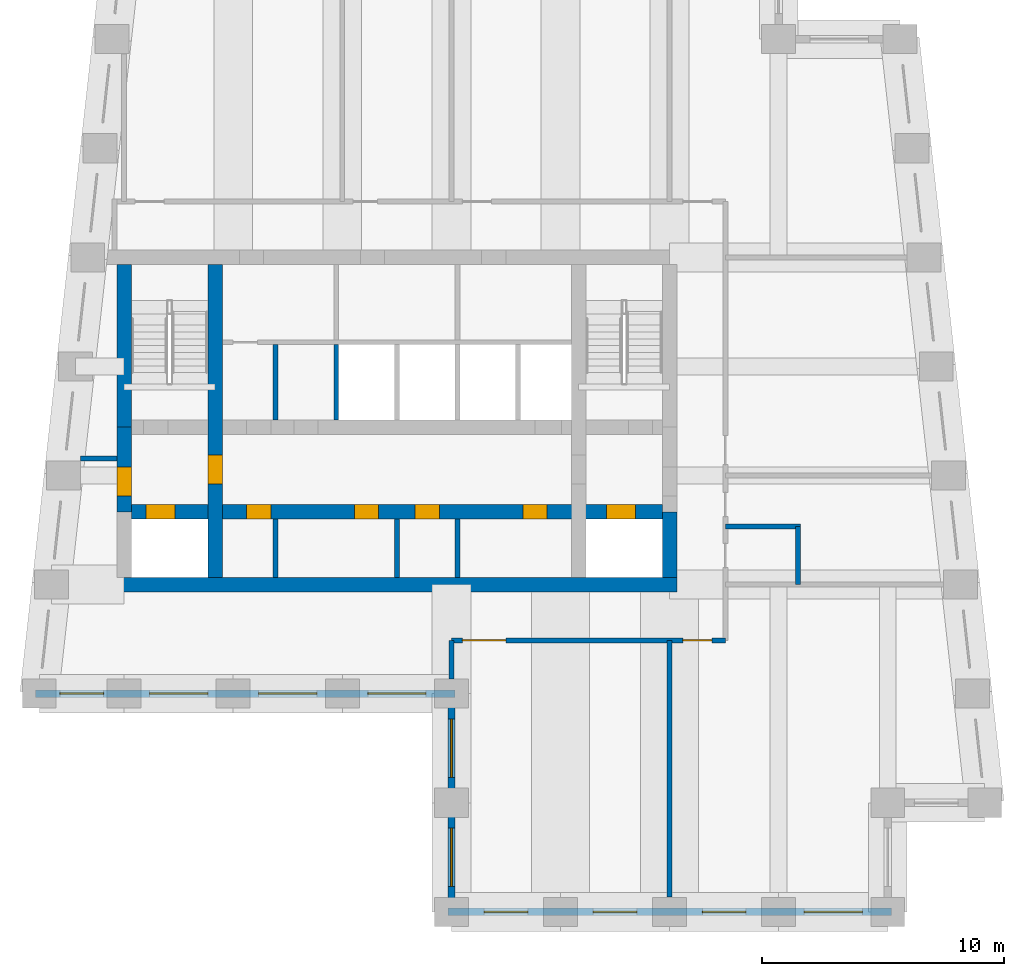
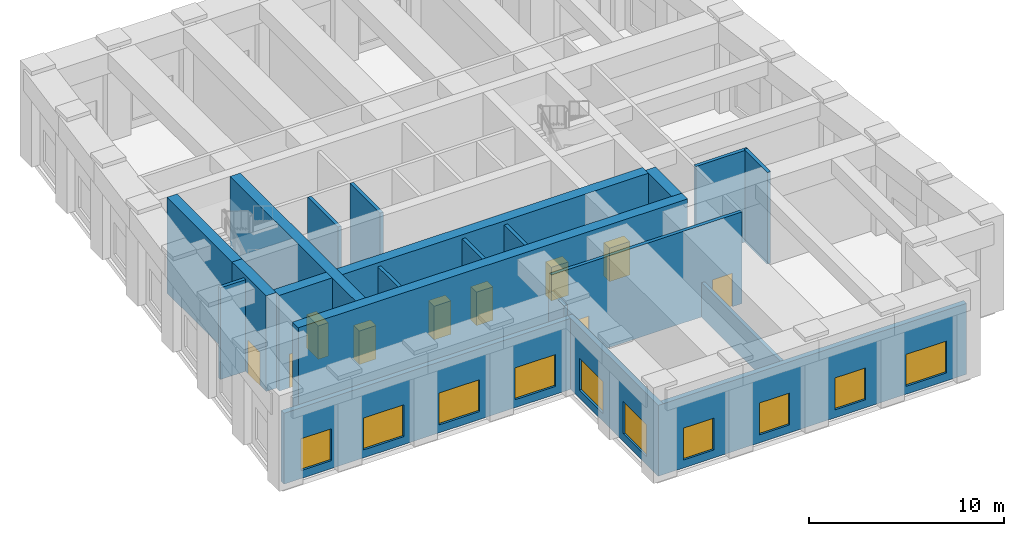
# One storey, part 2 of 7: 20 walls, 10 doors, 10 windows, 20 openings.
"""IFC4 building model written with IfcOpenShell, lengths in metres."""

from ifc_helpers import new_model, si_unit, direction, frame, frame_2d, origin, place, context, subcontext, project, spatial, rectangle, extrude, material, layer, layer_set, type_object, element, fill, save


model = new_model("IFC4")

# Units and contexts
model_context = context("Model", 3, precision=1e-05, world=origin(), true_north=direction((0.0, 1.0)))
body_context = subcontext(model_context, "Body", "Model", "MODEL_VIEW")
ifc_project = project(units=[si_unit("LENGTHUNIT", "METRE"), si_unit("AREAUNIT", "SQUARE_METRE"), si_unit("VOLUMEUNIT", "CUBIC_METRE"), si_unit("PLANEANGLEUNIT", "RADIAN"), si_unit("MASSUNIT", "GRAM", prefix="KILO")], contexts=[model_context])

# Site, building, storey
site_placement = place(None, origin())
site = spatial("IfcSite", under=ifc_project, at=site_placement, CompositionType="ELEMENT")
building_placement = place(site_placement, origin())
building = spatial("IfcBuilding", under=site, at=building_placement, Name="Kilele Tower Hotel", CompositionType="ELEMENT")
storey_placement = place(building_placement, frame((0.0, 0.0, 244.699951171875)))
storey = spatial("IfcBuildingStorey", under=building, at=storey_placement, Name="L63", CompositionType="ELEMENT", Elevation=244.699951171875)

# Wall
ifc_material_1 = material(Name="Concrete C60/75", Category="concrete")
ifc_layer_1 = layer(ifc_material_1, 0.60009765625)
ifc_layer_set_1 = layer_set([ifc_layer_1], Name="Concrete C60/75")
wall_type_1 = type_object("IfcWallType", Name="Core wall 600 C60/75", PredefinedType="SHEAR", material=ifc_layer_set_1)
wall_1_placement = place(storey_placement, frame((13.199951171875, 13.5, 0.0), z_axis=(0.0, 0.0, 1.0), x_axis=(1.0, 0.0, 0.0)))
element("IfcWall", 1, at=wall_1_placement, inside=storey, type_object=wall_type_1, Name="Core wall S L63", PredefinedType="SHEAR", context=body_context, shape_type="SweptSolid", body=[
    extrude(rectangle(XDim=23.10009765625, YDim=0.60009765625, at=frame_2d((11.550048828125, 0.0))), origin(), (0.0, 0.0, 1.0), 6.0),
])

# Wall, opening, door
wall_2_placement = place(storey_placement, frame((17.25, 13.800048828125, 0.0), z_axis=(0.0, 0.0, 1.0), x_axis=(0.0, 1.0, 0.0)))
wall_2 = element("IfcWall", 2, at=wall_2_placement, inside=storey, type_object=wall_type_1, Name="Core wall IW L63", PredefinedType="SHEAR", context=body_context, shape_type="SweptSolid", body=[
    extrude(rectangle(XDim=12.89990234375, YDim=0.60009765625, at=frame_2d((6.449951171875, 0.0))), origin(), (0.0, 0.0, 1.0), 6.0),
])
opening_1_placement = place(wall_2_placement, frame((3.85009765625, 0.0, 0.0)))
opening_1 = element("IfcOpeningElement", 3, at=opening_1_placement, cuts=wall_2, Name="Opening D4", PredefinedType="OPENING", context=body_context, shape_type="SweptSolid", body=[
    extrude(rectangle(XDim=1.199951171875, YDim=2.10009765625, at=frame_2d((0.60009765625, 1.050048828125))), frame((0.0, 0.31005859375, 0.0), z_axis=(0.0, -1.0, 0.0), x_axis=(1.0, 0.0, 0.0)), (0.0, 0.0, 1.0), 0.6201171875),
])
ifc_material_2 = material(Name="Timber door leaf in hardwood frame", Category="wood")
door_type_1 = type_object("IfcDoorType", Name="Firefighting lobby door 1200", OperationType="SINGLE_SWING_LEFT", PredefinedType="DOOR", material=ifc_material_2)
door_1_placement = place(opening_1_placement, origin())
door_1 = element("IfcDoor", 4, at=door_1_placement, inside=storey, type_object=door_type_1, Name="Lobby door L63", OperationType="SINGLE_SWING_LEFT", OverallHeight=2.10009765625, OverallWidth=1.199951171875, PredefinedType="DOOR", context=body_context, shape_type="SweptSolid", body=[
    extrude(rectangle(XDim=1.199951171875, YDim=2.10009765625, at=frame_2d((0.60009765625, 1.050048828125))), frame((0.0, 0.2998046875, 0.0), z_axis=(0.0, -1.0, 0.0), x_axis=(1.0, 0.0, 0.0)), (0.0, 0.0, 1.0), 0.599609375),
])
fill(opening_1, door_1)

# Wall, openings, doors
wall_3_placement = place(storey_placement, frame((13.800048828125, 16.5, 0.0), z_axis=(0.0, 0.0, 1.0), x_axis=(1.0, 0.0, 0.0)))
wall_3 = element("IfcWall", 5, at=wall_3_placement, inside=storey, type_object=wall_type_1, Name="Core wall LS L63", PredefinedType="SHEAR", context=body_context, shape_type="SweptSolid", body=[
    extrude(rectangle(XDim=21.89990234375, YDim=0.60009765625, at=frame_2d((10.949951171875, 0.0))), origin(), (0.0, 0.0, 1.0), 6.0),
])
opening_2_placement = place(wall_3_placement, frame((5.75, 0.0, 0.0), z_axis=(0.0, 0.0, 1.0), x_axis=(-1.0, 0.0, 0.0)))
opening_2 = element("IfcOpeningElement", 6, at=opening_2_placement, cuts=wall_3, Name="Opening D11", PredefinedType="OPENING", context=body_context, shape_type="SweptSolid", body=[
    extrude(rectangle(XDim=1.0, YDim=2.10009765625, at=frame_2d((0.5, 1.050048828125))), frame((0.0, 0.31005859375, 0.0), z_axis=(0.0, -1.0, 0.0), x_axis=(1.0, 0.0, 0.0)), (0.0, 0.0, 1.0), 0.6201171875),
])
opening_3_placement = place(wall_3_placement, frame((10.199951171875, 0.0, 0.0), z_axis=(0.0, 0.0, 1.0), x_axis=(-1.0, 0.0, 0.0)))
opening_3 = element("IfcOpeningElement", 7, at=opening_3_placement, cuts=wall_3, Name="Opening D11", PredefinedType="OPENING", context=body_context, shape_type="SweptSolid", body=[
    extrude(rectangle(XDim=1.0, YDim=2.10009765625, at=frame_2d((0.5, 1.050048828125))), frame((0.0, 0.31005859375, 0.0), z_axis=(0.0, -1.0, 0.0), x_axis=(1.0, 0.0, 0.0)), (0.0, 0.0, 1.0), 0.6201171875),
])
opening_4_placement = place(wall_3_placement, frame((12.699951171875, 0.0, 0.0), z_axis=(0.0, 0.0, 1.0), x_axis=(-1.0, 0.0, 0.0)))
opening_4 = element("IfcOpeningElement", 8, at=opening_4_placement, cuts=wall_3, Name="Opening D11", PredefinedType="OPENING", context=body_context, shape_type="SweptSolid", body=[
    extrude(rectangle(XDim=1.0, YDim=2.10009765625, at=frame_2d((0.5, 1.050048828125))), frame((0.0, 0.31005859375, 0.0), z_axis=(0.0, -1.0, 0.0), x_axis=(1.0, 0.0, 0.0)), (0.0, 0.0, 1.0), 0.6201171875),
])
opening_5_placement = place(wall_3_placement, frame((17.14990234375, 0.0, 0.0), z_axis=(0.0, 0.0, 1.0), x_axis=(-1.0, 0.0, 0.0)))
opening_5 = element("IfcOpeningElement", 9, at=opening_5_placement, cuts=wall_3, Name="Opening D11", PredefinedType="OPENING", context=body_context, shape_type="SweptSolid", body=[
    extrude(rectangle(XDim=1.0, YDim=2.10009765625, at=frame_2d((0.5, 1.050048828125))), frame((0.0, 0.31005859375, 0.0), z_axis=(0.0, -1.0, 0.0), x_axis=(1.0, 0.0, 0.0)), (0.0, 0.0, 1.0), 0.6201171875),
])
opening_6_placement = place(wall_3_placement, frame((0.60009765625, 0.0, 0.0)))
opening_6 = element("IfcOpeningElement", 10, at=opening_6_placement, cuts=wall_3, Name="Opening LD2", PredefinedType="OPENING", context=body_context, shape_type="SweptSolid", body=[
    extrude(rectangle(XDim=1.199951171875, YDim=2.10009765625, at=frame_2d((0.60009765625, 1.050048828125))), frame((0.0, 0.31005859375, 0.0), z_axis=(0.0, -1.0, 0.0), x_axis=(1.0, 0.0, 0.0)), (0.0, 0.0, 1.0), 0.6201171875),
])
opening_7_placement = place(wall_3_placement, frame((19.60009765625, 0.0, 0.0)))
opening_7 = element("IfcOpeningElement", 11, at=opening_7_placement, cuts=wall_3, Name="Opening LD2", PredefinedType="OPENING", context=body_context, shape_type="SweptSolid", body=[
    extrude(rectangle(XDim=1.199951171875, YDim=2.10009765625, at=frame_2d((0.60009765625, 1.050048828125))), frame((0.0, 0.31005859375, 0.0), z_axis=(0.0, -1.0, 0.0), x_axis=(1.0, 0.0, 0.0)), (0.0, 0.0, 1.0), 0.6201171875),
])
ifc_material_3 = material(Name="Timber door leaf in hardwood frame", Category="wood")
door_type_2 = type_object("IfcDoorType", Name="Core store door 1000", OperationType="SINGLE_SWING_LEFT", PredefinedType="DOOR", material=ifc_material_3)
door_2_placement = place(opening_2_placement, origin())
door_2 = element("IfcDoor", 12, at=door_2_placement, inside=storey, type_object=door_type_2, Name="Core room door L1 L63", OperationType="SINGLE_SWING_LEFT", OverallHeight=2.10009765625, OverallWidth=1.0, PredefinedType="DOOR", context=body_context, shape_type="SweptSolid", body=[
    extrude(rectangle(XDim=1.0, YDim=2.10009765625, at=frame_2d((0.5, 1.050048828125))), frame((0.0, 0.2998046875, 0.0), z_axis=(0.0, -1.0, 0.0), x_axis=(1.0, 0.0, 0.0)), (0.0, 0.0, 1.0), 0.599609375),
])
fill(opening_2, door_2)
door_3_placement = place(opening_3_placement, origin())
door_3 = element("IfcDoor", 13, at=door_3_placement, inside=storey, type_object=door_type_2, Name="Core room door L3 L63", OperationType="SINGLE_SWING_LEFT", OverallHeight=2.10009765625, OverallWidth=1.0, PredefinedType="DOOR", context=body_context, shape_type="SweptSolid", body=[
    extrude(rectangle(XDim=1.0, YDim=2.10009765625, at=frame_2d((0.5, 1.050048828125))), frame((0.0, 0.2998046875, 0.0), z_axis=(0.0, -1.0, 0.0), x_axis=(1.0, 0.0, 0.0)), (0.0, 0.0, 1.0), 0.599609375),
])
fill(opening_3, door_3)
door_4_placement = place(opening_4_placement, origin())
door_4 = element("IfcDoor", 14, at=door_4_placement, inside=storey, type_object=door_type_2, Name="Core room door M1 L63", OperationType="SINGLE_SWING_LEFT", OverallHeight=2.10009765625, OverallWidth=1.0, PredefinedType="DOOR", context=body_context, shape_type="SweptSolid", body=[
    extrude(rectangle(XDim=1.0, YDim=2.10009765625, at=frame_2d((0.5, 1.050048828125))), frame((0.0, 0.2998046875, 0.0), z_axis=(0.0, -1.0, 0.0), x_axis=(1.0, 0.0, 0.0)), (0.0, 0.0, 1.0), 0.599609375),
])
fill(opening_4, door_4)
door_5_placement = place(opening_5_placement, origin())
door_5 = element("IfcDoor", 15, at=door_5_placement, inside=storey, type_object=door_type_2, Name="Core room door M3 L63", OperationType="SINGLE_SWING_LEFT", OverallHeight=2.10009765625, OverallWidth=1.0, PredefinedType="DOOR", context=body_context, shape_type="SweptSolid", body=[
    extrude(rectangle(XDim=1.0, YDim=2.10009765625, at=frame_2d((0.5, 1.050048828125))), frame((0.0, 0.2998046875, 0.0), z_axis=(0.0, -1.0, 0.0), x_axis=(1.0, 0.0, 0.0)), (0.0, 0.0, 1.0), 0.599609375),
])
fill(opening_5, door_5)
ifc_material_4 = material(Name="Steel lift landing door", Category="steel")
door_type_3 = type_object("IfcDoorType", Name="Firefighting lift landing door 1200", OperationType="SLIDING_TO_LEFT", PredefinedType="DOOR", material=ifc_material_4)
door_6_placement = place(opening_6_placement, origin())
door_6 = element("IfcDoor", 16, at=door_6_placement, inside=storey, type_object=door_type_3, Name="Landing door FFW L63", OperationType="SLIDING_TO_LEFT", OverallHeight=2.10009765625, OverallWidth=1.199951171875, PredefinedType="DOOR", context=body_context, shape_type="SweptSolid", body=[
    extrude(rectangle(XDim=1.199951171875, YDim=2.10009765625, at=frame_2d((0.60009765625, 1.050048828125))), frame((0.0, 0.2998046875, 0.0), z_axis=(0.0, -1.0, 0.0), x_axis=(1.0, 0.0, 0.0)), (0.0, 0.0, 1.0), 0.599609375),
])
fill(opening_6, door_6)
door_7_placement = place(opening_7_placement, origin())
door_7 = element("IfcDoor", 17, at=door_7_placement, inside=storey, type_object=door_type_3, Name="Landing door FFE L63", OperationType="SLIDING_TO_LEFT", OverallHeight=2.10009765625, OverallWidth=1.199951171875, PredefinedType="DOOR", context=body_context, shape_type="SweptSolid", body=[
    extrude(rectangle(XDim=1.199951171875, YDim=2.10009765625, at=frame_2d((0.60009765625, 1.050048828125))), frame((0.0, 0.2998046875, 0.0), z_axis=(0.0, -1.0, 0.0), x_axis=(1.0, 0.0, 0.0)), (0.0, 0.0, 1.0), 0.599609375),
])
fill(opening_7, door_7)

# Wall
wall_4_placement = place(storey_placement, frame((13.5, 26.699951171875, 0.0), z_axis=(0.0, 0.0, 1.0), x_axis=(0.0, -1.0, 0.0)))
element("IfcWall", 18, at=wall_4_placement, inside=storey, type_object=wall_type_1, Name="Core wall W1 L63", PredefinedType="SHEAR", context=body_context, shape_type="SweptSolid", body=[
    extrude(rectangle(XDim=6.699951171875, YDim=0.60009765625, at=frame_2d((3.35009765625, 0.0))), origin(), (0.0, 0.0, 1.0), 6.0),
])

# Wall, opening, door
wall_5_placement = place(storey_placement, frame((13.5, 20.0, 0.0), z_axis=(0.0, 0.0, 1.0), x_axis=(0.0, -1.0, 0.0)))
wall_5 = element("IfcWall", 19, at=wall_5_placement, inside=storey, type_object=wall_type_1, Name="Core wall W2 L63", PredefinedType="SHEAR", context=body_context, shape_type="SweptSolid", body=[
    extrude(rectangle(XDim=3.5, YDim=0.60009765625, at=frame_2d((1.75, 0.0))), origin(), (0.0, 0.0, 1.0), 6.0),
])
opening_8_placement = place(wall_5_placement, frame((1.64990234375, 0.0, 0.0)))
opening_8 = element("IfcOpeningElement", 20, at=opening_8_placement, cuts=wall_5, Name="Opening D4", PredefinedType="OPENING", context=body_context, shape_type="SweptSolid", body=[
    extrude(rectangle(XDim=1.199951171875, YDim=2.10009765625, at=frame_2d((0.60009765625, 1.050048828125))), frame((0.0, 0.31005859375, 0.0), z_axis=(0.0, -1.0, 0.0), x_axis=(1.0, 0.0, 0.0)), (0.0, 0.0, 1.0), 0.6201171875),
])
door_8_placement = place(opening_8_placement, origin())
door_8 = element("IfcDoor", 21, at=door_8_placement, inside=storey, type_object=door_type_1, Name="Lobby door L63", OperationType="SINGLE_SWING_RIGHT", OverallHeight=2.10009765625, OverallWidth=1.199951171875, PredefinedType="DOOR", context=body_context, shape_type="SweptSolid", body=[
    extrude(rectangle(XDim=1.199951171875, YDim=2.10009765625, at=frame_2d((0.60009765625, 1.050048828125))), frame((0.0, 0.2998046875, 0.0), z_axis=(0.0, -1.0, 0.0), x_axis=(1.0, 0.0, 0.0)), (0.0, 0.0, 1.0), 0.599609375),
])
fill(opening_8, door_8)

# Wall
wall_6_placement = place(storey_placement, frame((36.0, 13.800048828125, 0.0), z_axis=(0.0, 0.0, 1.0), x_axis=(0.0, 1.0, 0.0)))
element("IfcWall", 22, at=wall_6_placement, inside=storey, type_object=wall_type_1, Name="Core wall E1 L63", PredefinedType="SHEAR", context=body_context, shape_type="SweptSolid", body=[
    extrude(rectangle(XDim=2.699951171875, YDim=0.60009765625, at=frame_2d((1.35009765625, 0.0))), origin(), (0.0, 0.0, 1.0), 6.0),
])

# Wall, openings, doors
ifc_material_5 = material(Name="Blockwork, plastered both sides", Category="masonry")
ifc_layer_2 = layer(ifc_material_5, 0.199951171875)
ifc_layer_set_2 = layer_set([ifc_layer_2], Name="Blockwork, plastered both sides")
wall_type_2 = type_object("IfcWallType", Name="Corridor wall 200", PredefinedType="PARTITIONING", material=ifc_layer_set_2)
wall_7_placement = place(storey_placement, frame((27.0, 11.199951171875, 0.0), z_axis=(0.0, 0.0, 1.0), x_axis=(1.0, 0.0, 0.0)))
wall_7 = element("IfcWall", 23, at=wall_7_placement, inside=storey, type_object=wall_type_2, Name="Corridor wall 200 L63", PredefinedType="PARTITIONING", context=body_context, shape_type="SweptSolid", body=[
    extrude(rectangle(XDim=11.300048828125, YDim=0.199951171875, at=frame_2d((5.64990234375, 0.0))), origin(), (0.0, 0.0, 1.0), 5.75),
])
opening_9_placement = place(wall_7_placement, frame((2.25, 0.0, 0.0), z_axis=(0.0, 0.0, 1.0), x_axis=(-1.0, 0.0, 0.0)))
opening_9 = element("IfcOpeningElement", 24, at=opening_9_placement, cuts=wall_7, Name="Opening D9", PredefinedType="OPENING", context=body_context, shape_type="SweptSolid", body=[
    extrude(rectangle(XDim=1.800048828125, YDim=2.39990234375, at=frame_2d((0.89990234375, 1.199951171875))), frame((0.0, 0.10986328125, 0.0), z_axis=(0.0, -1.0, 0.0), x_axis=(1.0, 0.0, 0.0)), (0.0, 0.0, 1.0), 0.219970703125),
])
opening_10_placement = place(wall_7_placement, frame((10.75, 0.0, 0.0), z_axis=(0.0, 0.0, 1.0), x_axis=(-1.0, 0.0, 0.0)))
opening_10 = element("IfcOpeningElement", 25, at=opening_10_placement, cuts=wall_7, Name="Opening D7A", PredefinedType="OPENING", context=body_context, shape_type="SweptSolid", body=[
    extrude(rectangle(XDim=1.199951171875, YDim=2.10009765625, at=frame_2d((0.60009765625, 1.050048828125))), frame((0.0, 0.10986328125, 0.0), z_axis=(0.0, -1.0, 0.0), x_axis=(1.0, 0.0, 0.0)), (0.0, 0.0, 1.0), 0.219970703125),
])
ifc_material_6 = material(Name="Timber door leaf in hardwood frame", Category="wood")
door_type_4 = type_object("IfcDoorType", Name="Double door 1800", OperationType="DOUBLE_DOOR_SINGLE_SWING", PredefinedType="DOOR", material=ifc_material_6)
door_9_placement = place(opening_9_placement, origin())
door_9 = element("IfcDoor", 26, at=door_9_placement, inside=storey, type_object=door_type_4, Name="Door Refuge area 6301", OperationType="DOUBLE_DOOR_SINGLE_SWING", OverallHeight=2.39990234375, OverallWidth=1.800048828125, PredefinedType="DOOR", context=body_context, shape_type="SweptSolid", body=[
    extrude(rectangle(XDim=1.800048828125, YDim=2.39990234375, at=frame_2d((0.89990234375, 1.199951171875))), frame((0.0, 0.02490234375, 0.0), z_axis=(0.0, -1.0, 0.0), x_axis=(1.0, 0.0, 0.0)), (0.0, 0.0, 1.0), 0.050048828125),
])
fill(opening_9, door_9)
ifc_material_7 = material(Name="Timber door leaf in hardwood frame", Category="wood")
door_type_5 = type_object("IfcDoorType", Name="Plant room door 1200", OperationType="SINGLE_SWING_LEFT", PredefinedType="DOOR", material=ifc_material_7)
door_10_placement = place(opening_10_placement, origin())
door_10 = element("IfcDoor", 27, at=door_10_placement, inside=storey, type_object=door_type_5, Name="Door Sky-top air handling plant room 6308", OperationType="SINGLE_SWING_RIGHT", OverallHeight=2.10009765625, OverallWidth=1.199951171875, PredefinedType="DOOR", context=body_context, shape_type="SweptSolid", body=[
    extrude(rectangle(XDim=1.199951171875, YDim=2.10009765625, at=frame_2d((0.60009765625, 1.050048828125))), frame((0.0, 0.02490234375, 0.0), z_axis=(0.0, -1.0, 0.0), x_axis=(1.0, 0.0, 0.0)), (0.0, 0.0, 1.0), 0.050048828125),
])
fill(opening_10, door_10)

# Walls
ifc_material_8 = material(Name="Blockwork, plastered both sides", Category="masonry")
ifc_layer_3 = layer(ifc_material_8, 0.199951171875)
ifc_layer_set_3 = layer_set([ifc_layer_3], Name="Blockwork, plastered both sides")
wall_type_3 = type_object("IfcWallType", Name="Partition wall 200", PredefinedType="PARTITIONING", material=ifc_layer_set_3)
wall_8_placement = place(storey_placement, frame((27.0, 11.199951171875, 0.0), z_axis=(0.0, 0.0, 1.0), x_axis=(0.0, -1.0, 0.0)))
element("IfcWall", 28, at=wall_8_placement, inside=storey, type_object=wall_type_3, Name="Partition wall 200 L63", PredefinedType="PARTITIONING", context=body_context, shape_type="SweptSolid", body=[
    extrude(rectangle(XDim=1.58984375, YDim=0.199951171875, at=frame_2d((0.794921875, 0.0))), origin(), (0.0, 0.0, 1.0), 4.75),
])
wall_9_placement = place(storey_placement, frame((36.0, 11.199951171875, 0.0), z_axis=(0.0, 0.0, 1.0), x_axis=(0.0, -1.0, 0.0)))
element("IfcWall", 29, at=wall_9_placement, inside=storey, type_object=wall_type_3, Name="Partition wall 200 L63", PredefinedType="PARTITIONING", context=body_context, shape_type="SweptSolid", body=[
    extrude(rectangle(XDim=10.58984375, YDim=0.199951171875, at=frame_2d((5.294921875, 0.0))), origin(), (0.0, 0.0, 1.0), 2.150146484375),
])
wall_10_placement = place(storey_placement, frame((38.300048828125, 15.89990234375, 0.0), z_axis=(0.0, 0.0, 1.0), x_axis=(1.0, 0.0, 0.0)))
element("IfcWall", 30, at=wall_10_placement, inside=storey, type_object=wall_type_3, Name="Partition wall 200 L63", PredefinedType="PARTITIONING", context=body_context, shape_type="SweptSolid", body=[
    extrude(rectangle(XDim=3.099853515625, YDim=0.199951171875, at=frame_2d((1.5498046875, 0.0))), origin(), (0.0, 0.0, 1.0), 5.75),
])
wall_11_placement = place(storey_placement, frame((41.300048828125, 13.5, 0.0), z_axis=(0.0, 0.0, 1.0), x_axis=(0.0, 1.0, 0.0)))
element("IfcWall", 31, at=wall_11_placement, inside=storey, type_object=wall_type_3, Name="Partition wall 200 L63", PredefinedType="PARTITIONING", context=body_context, shape_type="SweptSolid", body=[
    extrude(rectangle(XDim=2.39990234375, YDim=0.199951171875, at=frame_2d((1.199951171875, 0.0))), origin(), (0.0, 0.0, 1.0), 5.75),
])
wall_12_placement = place(storey_placement, frame((13.199951171875, 18.699951171875, 0.0), z_axis=(0.0, 0.0, 1.0), x_axis=(-1.0, 0.0, 0.0)))
element("IfcWall", 32, at=wall_12_placement, inside=storey, type_object=wall_type_3, Name="Partition wall 200 L63", PredefinedType="PARTITIONING", context=body_context, shape_type="SweptSolid", body=[
    extrude(rectangle(XDim=1.5, YDim=0.199951171875, at=frame_2d((0.75, 0.0))), origin(), (0.0, 0.0, 1.0), 5.75),
])

# Wall, openings, windows
ifc_material_9 = material(Name="Concrete C40/50 precast", Category="concrete")
ifc_layer_4 = layer(ifc_material_9, 0.260009765625, Name="Precast backing", Category="LoadBearing")
ifc_material_10 = material(Name="Reconstituted stone finish", Category="masonry")
ifc_layer_5 = layer(ifc_material_10, 0.0400390625, Name="Face mix", Category="Finish")
ifc_layer_set_4 = layer_set([ifc_layer_4, ifc_layer_5], Name="Precast concrete C40/50, reconstituted stone finish")
wall_type_4 = type_object("IfcWallType", Name="Precast stone facade wall 300", PredefinedType="STANDARD", material=ifc_layer_set_4)
wall_13_placement = place(storey_placement, frame((9.85009765625, 9.0, 0.0), z_axis=(0.0, 0.0, 1.0), x_axis=(1.0, 0.0, 0.0)))
wall_13 = element("IfcWall", 33, at=wall_13_placement, inside=storey, type_object=wall_type_4, Name="Facade wall L63 edge 1", PredefinedType="STANDARD", context=body_context, shape_type="SweptSolid", body=[
    extrude(rectangle(XDim=17.2998046875, YDim=0.300048828125, at=frame_2d((8.64990234375, 0.0))), origin(), (0.0, 0.0, 1.0), 4.449951171875),
])
opening_11_placement = place(wall_13_placement, frame((1.0, 0.0, 0.5)))
opening_11 = element("IfcOpeningElement", 34, at=opening_11_placement, cuts=wall_13, Name="Opening LV1", PredefinedType="OPENING", context=body_context, shape_type="SweptSolid", body=[
    extrude(rectangle(XDim=1.800048828125, YDim=2.0, at=frame_2d((0.89990234375, 1.0))), frame((0.0, 0.159912109375, 0.0), z_axis=(0.0, -1.0, 0.0), x_axis=(1.0, 0.0, 0.0)), (0.0, 0.0, 1.0), 0.320068359375),
])
opening_12_placement = place(wall_13_placement, frame((4.699951171875, 0.0, 0.5)))
opening_12 = element("IfcOpeningElement", 35, at=opening_12_placement, cuts=wall_13, Name="Opening LV1", PredefinedType="OPENING", context=body_context, shape_type="SweptSolid", body=[
    extrude(rectangle(XDim=2.39990234375, YDim=2.0, at=frame_2d((1.199951171875, 1.0))), frame((0.0, 0.159912109375, 0.0), z_axis=(0.0, -1.0, 0.0), x_axis=(1.0, 0.0, 0.0)), (0.0, 0.0, 1.0), 0.320068359375),
])
opening_13_placement = place(wall_13_placement, frame((9.199951171875, 0.0, 0.5)))
opening_13 = element("IfcOpeningElement", 36, at=opening_13_placement, cuts=wall_13, Name="Opening LV1", PredefinedType="OPENING", context=body_context, shape_type="SweptSolid", body=[
    extrude(rectangle(XDim=2.39990234375, YDim=2.0, at=frame_2d((1.199951171875, 1.0))), frame((0.0, 0.159912109375, 0.0), z_axis=(0.0, -1.0, 0.0), x_axis=(1.0, 0.0, 0.0)), (0.0, 0.0, 1.0), 0.320068359375),
])
opening_14_placement = place(wall_13_placement, frame((13.699951171875, 0.0, 0.5)))
opening_14 = element("IfcOpeningElement", 37, at=opening_14_placement, cuts=wall_13, Name="Opening LV1", PredefinedType="OPENING", context=body_context, shape_type="SweptSolid", body=[
    extrude(rectangle(XDim=2.39990234375, YDim=2.0, at=frame_2d((1.199951171875, 1.0))), frame((0.0, 0.159912109375, 0.0), z_axis=(0.0, -1.0, 0.0), x_axis=(1.0, 0.0, 0.0)), (0.0, 0.0, 1.0), 0.320068359375),
])
ifc_material_11 = material(Name="Aluminium weather louvre with insect mesh", Category="aluminium")
window_type_1 = type_object("IfcWindowType", Name="Ventilation louvre 1800 x 2000", PartitioningType="SINGLE_PANEL", PredefinedType="USERDEFINED", material=ifc_material_11)
window_1_placement = place(opening_11_placement, origin())
window_1 = element("IfcWindow", 38, at=window_1_placement, inside=storey, type_object=window_type_1, Name="Louvre L63", ObjectType="LOUVRE", OverallHeight=2.0, OverallWidth=1.800048828125, PartitioningType="SINGLE_PANEL", PredefinedType="USERDEFINED", context=body_context, shape_type="SweptSolid", body=[
    extrude(rectangle(XDim=1.800048828125, YDim=2.0, at=frame_2d((0.89990234375, 1.0))), frame((0.0, 0.030029296875, 0.0), z_axis=(0.0, -1.0, 0.0), x_axis=(1.0, 0.0, 0.0)), (0.0, 0.0, 1.0), 0.06005859375),
])
fill(opening_11, window_1)
ifc_material_12 = material(Name="Aluminium weather louvre with insect mesh", Category="aluminium")
window_type_2 = type_object("IfcWindowType", Name="Ventilation louvre 2400 x 2000", PartitioningType="SINGLE_PANEL", PredefinedType="USERDEFINED", material=ifc_material_12)
window_2_placement = place(opening_12_placement, origin())
window_2 = element("IfcWindow", 39, at=window_2_placement, inside=storey, type_object=window_type_2, Name="Louvre L63", ObjectType="LOUVRE", OverallHeight=2.0, OverallWidth=2.39990234375, PartitioningType="SINGLE_PANEL", PredefinedType="USERDEFINED", context=body_context, shape_type="SweptSolid", body=[
    extrude(rectangle(XDim=2.39990234375, YDim=2.0, at=frame_2d((1.199951171875, 1.0))), frame((0.0, 0.030029296875, 0.0), z_axis=(0.0, -1.0, 0.0), x_axis=(1.0, 0.0, 0.0)), (0.0, 0.0, 1.0), 0.06005859375),
])
fill(opening_12, window_2)
window_3_placement = place(opening_13_placement, origin())
window_3 = element("IfcWindow", 40, at=window_3_placement, inside=storey, type_object=window_type_2, Name="Louvre L63", ObjectType="LOUVRE", OverallHeight=2.0, OverallWidth=2.39990234375, PartitioningType="SINGLE_PANEL", PredefinedType="USERDEFINED", context=body_context, shape_type="SweptSolid", body=[
    extrude(rectangle(XDim=2.39990234375, YDim=2.0, at=frame_2d((1.199951171875, 1.0))), frame((0.0, 0.030029296875, 0.0), z_axis=(0.0, -1.0, 0.0), x_axis=(1.0, 0.0, 0.0)), (0.0, 0.0, 1.0), 0.06005859375),
])
fill(opening_13, window_3)
window_4_placement = place(opening_14_placement, origin())
window_4 = element("IfcWindow", 41, at=window_4_placement, inside=storey, type_object=window_type_2, Name="Louvre L63", ObjectType="LOUVRE", OverallHeight=2.0, OverallWidth=2.39990234375, PartitioningType="SINGLE_PANEL", PredefinedType="USERDEFINED", context=body_context, shape_type="SweptSolid", body=[
    extrude(rectangle(XDim=2.39990234375, YDim=2.0, at=frame_2d((1.199951171875, 1.0))), frame((0.0, 0.030029296875, 0.0), z_axis=(0.0, -1.0, 0.0), x_axis=(1.0, 0.0, 0.0)), (0.0, 0.0, 1.0), 0.06005859375),
])
fill(opening_14, window_4)

wall_14_placement = place(storey_placement, frame((27.0, 9.14990234375, 0.0), z_axis=(0.0, 0.0, 1.0), x_axis=(0.0, -1.0, 0.0)))
wall_14 = element("IfcWall", 42, at=wall_14_placement, inside=storey, type_object=wall_type_4, Name="Facade wall L63 edge 2", PredefinedType="STANDARD", context=body_context, shape_type="SweptSolid", body=[
    extrude(rectangle(XDim=9.2998046875, YDim=0.300048828125, at=frame_2d((4.64990234375, 0.0))), origin(), (0.0, 0.0, 1.0), 4.449951171875),
])
opening_15_placement = place(wall_14_placement, frame((1.199951171875, 0.0, 0.5)))
opening_15 = element("IfcOpeningElement", 43, at=opening_15_placement, cuts=wall_14, Name="Opening LV1", PredefinedType="OPENING", context=body_context, shape_type="SweptSolid", body=[
    extrude(rectangle(XDim=2.39990234375, YDim=2.0, at=frame_2d((1.199951171875, 1.0))), frame((0.0, 0.159912109375, 0.0), z_axis=(0.0, -1.0, 0.0), x_axis=(1.0, 0.0, 0.0)), (0.0, 0.0, 1.0), 0.320068359375),
])
opening_16_placement = place(wall_14_placement, frame((5.699951171875, 0.0, 0.5)))
opening_16 = element("IfcOpeningElement", 44, at=opening_16_placement, cuts=wall_14, Name="Opening LV1", PredefinedType="OPENING", context=body_context, shape_type="SweptSolid", body=[
    extrude(rectangle(XDim=2.39990234375, YDim=2.0, at=frame_2d((1.199951171875, 1.0))), frame((0.0, 0.159912109375, 0.0), z_axis=(0.0, -1.0, 0.0), x_axis=(1.0, 0.0, 0.0)), (0.0, 0.0, 1.0), 0.320068359375),
])
window_5_placement = place(opening_15_placement, origin())
window_5 = element("IfcWindow", 45, at=window_5_placement, inside=storey, type_object=window_type_2, Name="Louvre L63", ObjectType="LOUVRE", OverallHeight=2.0, OverallWidth=2.39990234375, PartitioningType="SINGLE_PANEL", PredefinedType="USERDEFINED", context=body_context, shape_type="SweptSolid", body=[
    extrude(rectangle(XDim=2.39990234375, YDim=2.0, at=frame_2d((1.199951171875, 1.0))), frame((0.0, 0.030029296875, 0.0), z_axis=(0.0, -1.0, 0.0), x_axis=(1.0, 0.0, 0.0)), (0.0, 0.0, 1.0), 0.06005859375),
])
fill(opening_15, window_5)
window_6_placement = place(opening_16_placement, origin())
window_6 = element("IfcWindow", 46, at=window_6_placement, inside=storey, type_object=window_type_2, Name="Louvre L63", ObjectType="LOUVRE", OverallHeight=2.0, OverallWidth=2.39990234375, PartitioningType="SINGLE_PANEL", PredefinedType="USERDEFINED", context=body_context, shape_type="SweptSolid", body=[
    extrude(rectangle(XDim=2.39990234375, YDim=2.0, at=frame_2d((1.199951171875, 1.0))), frame((0.0, 0.030029296875, 0.0), z_axis=(0.0, -1.0, 0.0), x_axis=(1.0, 0.0, 0.0)), (0.0, 0.0, 1.0), 0.06005859375),
])
fill(opening_16, window_6)

wall_15_placement = place(storey_placement, frame((26.85009765625, 0.0, 0.0), z_axis=(0.0, 0.0, 1.0), x_axis=(1.0, 0.0, 0.0)))
wall_15 = element("IfcWall", 47, at=wall_15_placement, inside=storey, type_object=wall_type_4, Name="Facade wall L63 edge 3", PredefinedType="STANDARD", context=body_context, shape_type="SweptSolid", body=[
    extrude(rectangle(XDim=18.2998046875, YDim=0.300048828125, at=frame_2d((9.14990234375, 0.0))), origin(), (0.0, 0.0, 1.0), 4.449951171875),
])
opening_17_placement = place(wall_15_placement, frame((1.5, 0.0, 0.5)))
opening_17 = element("IfcOpeningElement", 48, at=opening_17_placement, cuts=wall_15, Name="Opening LV1", PredefinedType="OPENING", context=body_context, shape_type="SweptSolid", body=[
    extrude(rectangle(XDim=1.800048828125, YDim=2.0, at=frame_2d((0.89990234375, 1.0))), frame((0.0, 0.159912109375, 0.0), z_axis=(0.0, -1.0, 0.0), x_axis=(1.0, 0.0, 0.0)), (0.0, 0.0, 1.0), 0.320068359375),
])
opening_18_placement = place(wall_15_placement, frame((6.0, 0.0, 0.5)))
opening_18 = element("IfcOpeningElement", 49, at=opening_18_placement, cuts=wall_15, Name="Opening LV1", PredefinedType="OPENING", context=body_context, shape_type="SweptSolid", body=[
    extrude(rectangle(XDim=1.800048828125, YDim=2.0, at=frame_2d((0.89990234375, 1.0))), frame((0.0, 0.159912109375, 0.0), z_axis=(0.0, -1.0, 0.0), x_axis=(1.0, 0.0, 0.0)), (0.0, 0.0, 1.0), 0.320068359375),
])
opening_19_placement = place(wall_15_placement, frame((10.5, 0.0, 0.5)))
opening_19 = element("IfcOpeningElement", 50, at=opening_19_placement, cuts=wall_15, Name="Opening LV1", PredefinedType="OPENING", context=body_context, shape_type="SweptSolid", body=[
    extrude(rectangle(XDim=1.800048828125, YDim=2.0, at=frame_2d((0.89990234375, 1.0))), frame((0.0, 0.159912109375, 0.0), z_axis=(0.0, -1.0, 0.0), x_axis=(1.0, 0.0, 0.0)), (0.0, 0.0, 1.0), 0.320068359375),
])
opening_20_placement = place(wall_15_placement, frame((14.699951171875, 0.0, 0.5)))
opening_20 = element("IfcOpeningElement", 51, at=opening_20_placement, cuts=wall_15, Name="Opening LV1", PredefinedType="OPENING", context=body_context, shape_type="SweptSolid", body=[
    extrude(rectangle(XDim=2.39990234375, YDim=2.0, at=frame_2d((1.199951171875, 1.0))), frame((0.0, 0.159912109375, 0.0), z_axis=(0.0, -1.0, 0.0), x_axis=(1.0, 0.0, 0.0)), (0.0, 0.0, 1.0), 0.320068359375),
])
window_7_placement = place(opening_17_placement, origin())
window_7 = element("IfcWindow", 52, at=window_7_placement, inside=storey, type_object=window_type_1, Name="Louvre L63", ObjectType="LOUVRE", OverallHeight=2.0, OverallWidth=1.800048828125, PartitioningType="SINGLE_PANEL", PredefinedType="USERDEFINED", context=body_context, shape_type="SweptSolid", body=[
    extrude(rectangle(XDim=1.800048828125, YDim=2.0, at=frame_2d((0.89990234375, 1.0))), frame((0.0, 0.030029296875, 0.0), z_axis=(0.0, -1.0, 0.0), x_axis=(1.0, 0.0, 0.0)), (0.0, 0.0, 1.0), 0.06005859375),
])
fill(opening_17, window_7)
window_8_placement = place(opening_18_placement, origin())
window_8 = element("IfcWindow", 53, at=window_8_placement, inside=storey, type_object=window_type_1, Name="Louvre L63", ObjectType="LOUVRE", OverallHeight=2.0, OverallWidth=1.800048828125, PartitioningType="SINGLE_PANEL", PredefinedType="USERDEFINED", context=body_context, shape_type="SweptSolid", body=[
    extrude(rectangle(XDim=1.800048828125, YDim=2.0, at=frame_2d((0.89990234375, 1.0))), frame((0.0, 0.030029296875, 0.0), z_axis=(0.0, -1.0, 0.0), x_axis=(1.0, 0.0, 0.0)), (0.0, 0.0, 1.0), 0.06005859375),
])
fill(opening_18, window_8)
window_9_placement = place(opening_19_placement, origin())
window_9 = element("IfcWindow", 54, at=window_9_placement, inside=storey, type_object=window_type_1, Name="Louvre L63", ObjectType="LOUVRE", OverallHeight=2.0, OverallWidth=1.800048828125, PartitioningType="SINGLE_PANEL", PredefinedType="USERDEFINED", context=body_context, shape_type="SweptSolid", body=[
    extrude(rectangle(XDim=1.800048828125, YDim=2.0, at=frame_2d((0.89990234375, 1.0))), frame((0.0, 0.030029296875, 0.0), z_axis=(0.0, -1.0, 0.0), x_axis=(1.0, 0.0, 0.0)), (0.0, 0.0, 1.0), 0.06005859375),
])
fill(opening_19, window_9)
window_10_placement = place(opening_20_placement, origin())
window_10 = element("IfcWindow", 55, at=window_10_placement, inside=storey, type_object=window_type_2, Name="Louvre L63", ObjectType="LOUVRE", OverallHeight=2.0, OverallWidth=2.39990234375, PartitioningType="SINGLE_PANEL", PredefinedType="USERDEFINED", context=body_context, shape_type="SweptSolid", body=[
    extrude(rectangle(XDim=2.39990234375, YDim=2.0, at=frame_2d((1.199951171875, 1.0))), frame((0.0, 0.030029296875, 0.0), z_axis=(0.0, -1.0, 0.0), x_axis=(1.0, 0.0, 0.0)), (0.0, 0.0, 1.0), 0.06005859375),
])
fill(opening_20, window_10)

# Walls
ifc_material_13 = material(Name="Blockwork, fire-rated", Category="masonry")
ifc_layer_6 = layer(ifc_material_13, 0.199951171875)
ifc_layer_set_5 = layer_set([ifc_layer_6], Name="Blockwork, fire-rated")
wall_type_5 = type_object("IfcWallType", Name="Shaft wall 200", PredefinedType="PARTITIONING", material=ifc_layer_set_5)
wall_16_placement = place(storey_placement, frame((19.75, 13.800048828125, 0.0), z_axis=(0.0, 0.0, 1.0), x_axis=(0.0, 1.0, 0.0)))
element("IfcWall", 56, at=wall_16_placement, inside=storey, type_object=wall_type_5, Name="Shaft wall 200 L63", PredefinedType="PARTITIONING", context=body_context, shape_type="SweptSolid", body=[
    extrude(rectangle(XDim=2.39990234375, YDim=0.199951171875, at=frame_2d((1.199951171875, 0.0))), origin(), (0.0, 0.0, 1.0), 5.75),
])
for number, where, z_axis, x_axis, name in (
    (57, (19.75, 20.300048828125, 0.0), (0.0, 0.0, 1.0), (0.0, 1.0, 0.0), "Shaft wall 200 L63"),
    (58, (22.25, 20.300048828125, 0.0), (0.0, 0.0, 1.0), (0.0, 1.0, 0.0), "Shaft wall 200 L63"),
):
    element("IfcWall", number, at=place(storey_placement, frame(where, z_axis=z_axis, x_axis=x_axis)), inside=storey, type_object=wall_type_5, Name=name, PredefinedType="PARTITIONING", context=body_context, shape_type="SweptSolid", body=[
        extrude(rectangle(XDim=3.099853515625, YDim=0.199951171875, at=frame_2d((1.5498046875, 0.0))), origin(), (0.0, 0.0, 1.0), 5.75),
    ])
for number, where, z_axis, x_axis, name in (
    (59, (24.75, 13.800048828125, 0.0), (0.0, 0.0, 1.0), (0.0, 1.0, 0.0), "Shaft wall 200 L63"),
    (60, (27.25, 13.800048828125, 0.0), (0.0, 0.0, 1.0), (0.0, 1.0, 0.0), "Shaft wall 200 L63"),
):
    element("IfcWall", number, at=place(storey_placement, frame(where, z_axis=z_axis, x_axis=x_axis)), inside=storey, type_object=wall_type_5, Name=name, PredefinedType="PARTITIONING", context=body_context, shape_type="SweptSolid", body=[
        extrude(rectangle(XDim=2.39990234375, YDim=0.199951171875, at=frame_2d((1.199951171875, 0.0))), origin(), (0.0, 0.0, 1.0), 5.75),
    ])

save(model, "model.ifc")
